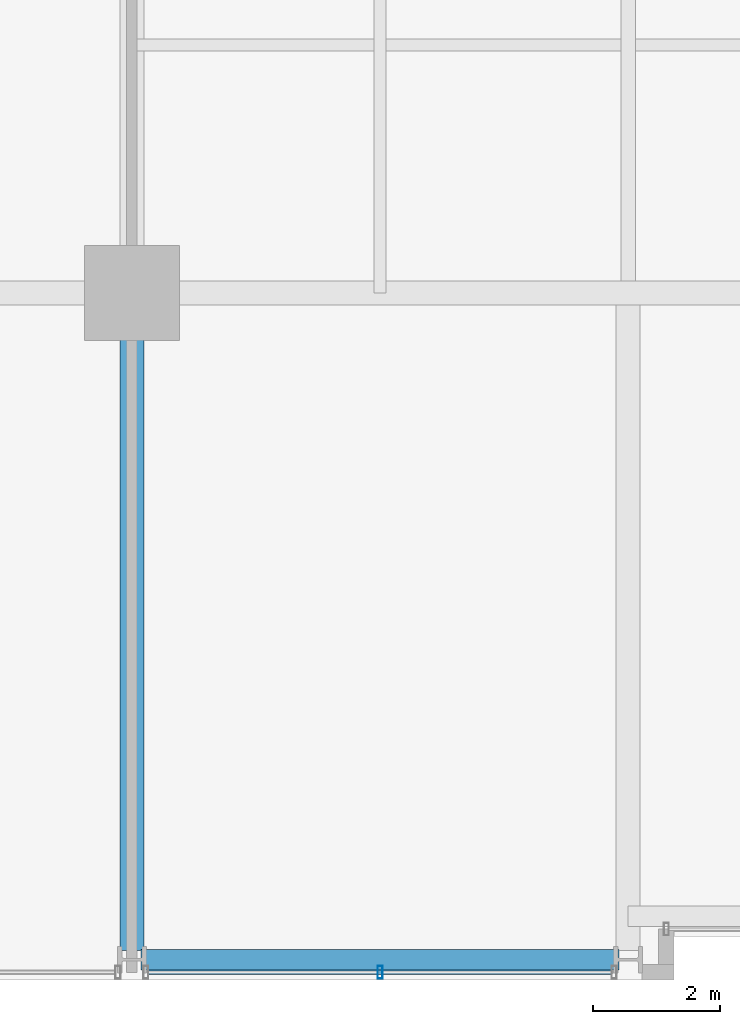
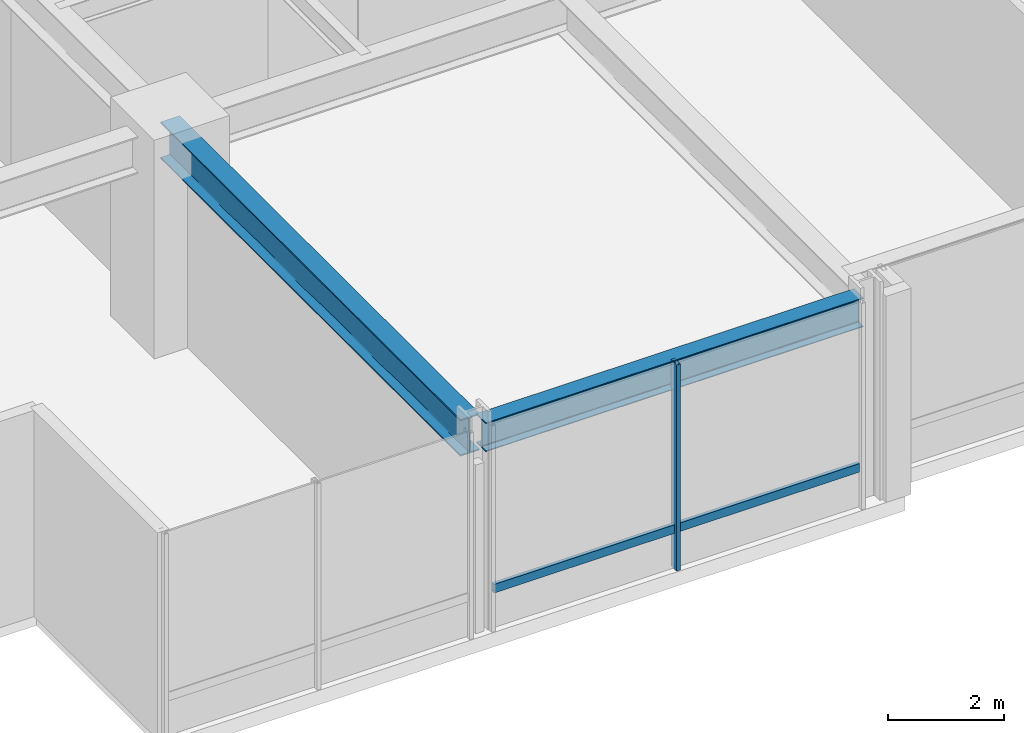
# One storey, part 3 of 33: 2 beams, 2 members, 1 element without a shape of its own.
"""IFC4 building model written with IfcOpenShell, lengths in metres."""

from ifc_helpers import new_model, si_unit, direction, frame, origin, origin_2d, place, context, subcontext, project, spatial, hollow_rectangle, i_section, extrude, material, layer, layer_set, material_profile, profile_set, type_object, element, aggregate, save


model = new_model("IFC4")

# Units and contexts
model_context = context("Model", 3, precision=1e-05, world=origin(), true_north=direction((0.0, 1.0)))
body_context = subcontext(model_context, "Body", "Model", "MODEL_VIEW")
ifc_project = project(units=[si_unit("LENGTHUNIT", "METRE"), si_unit("AREAUNIT", "SQUARE_METRE"), si_unit("VOLUMEUNIT", "CUBIC_METRE"), si_unit("PLANEANGLEUNIT", "RADIAN"), si_unit("MASSUNIT", "GRAM", prefix="KILO")], contexts=[model_context])

# Site, building, storey
site_placement = place(None, origin())
site = spatial("IfcSite", under=ifc_project, at=site_placement, CompositionType="ELEMENT")
building_placement = place(site_placement, origin())
building = spatial("IfcBuilding", under=site, at=building_placement, Name="Drelvath Grand Hotel", CompositionType="ELEMENT")
storey_placement = place(building_placement, frame((0.0, 0.0, 87.199951171875)))
storey = spatial("IfcBuildingStorey", under=building, at=storey_placement, Name="L21", CompositionType="ELEMENT", Elevation=87.199951171875)

# Curtain wall, members
ifc_material_1 = material(Name="Champagne Bronze Anodised Aluminium Frame", Category="aluminium")
ifc_layer = layer(ifc_material_1, 0.199951171875)
ifc_layer_set = layer_set([ifc_layer], Name="Champagne Bronze Anodised Aluminium Frame")
curtain_wall_type = type_object("IfcCurtainWallType", Name="Stick Curtain Wall CW-03 Champagne Bronze Mid-Rise", PredefinedType="NOTDEFINED", material=ifc_layer_set)
curtain_wall_placement = place(storey_placement, origin())
curtain_wall = element("IfcCurtainWall", 1, at=curtain_wall_placement, inside=storey, type_object=curtain_wall_type, Name="L21 CW-03 Curtain Wall CW03-L21-SW2", PredefinedType="NOTDEFINED")
ifc_material_profile_1 = material_profile(ifc_material_1, hollow_rectangle(XDim=0.074951171875, YDim=0.179931640625, WallThickness=0.0048828125, at=origin_2d()), Name="HSS180X75X5")
ifc_profile_set_1 = profile_set([ifc_material_profile_1], Name="Champagne Bronze Anodised Aluminium Frame")
member_type_1 = type_object("IfcMemberType", Name="Curtain Wall Horizontal Transom CW-03 HSS180X75X5", PredefinedType="USERDEFINED", material=ifc_profile_set_1)
member_1_placement = place(storey_placement, frame((-8.65966796875, 0.1201171875, 0.85009765625), z_axis=(-1.0, 0.0, 0.0), x_axis=(0.0, -1.0, 0.0)))
member_1 = element("IfcMember", 2, at=member_1_placement, type_object=member_type_1, Name="CW03-L21-SW2 Sill Transom", ObjectType="TRANSOM", PredefinedType="USERDEFINED", context=body_context, shape_type="SweptSolid", body=[
    extrude(hollow_rectangle(XDim=0.074951171875, YDim=0.179931640625, WallThickness=0.0048828125, at=origin_2d()), origin(), (0.0, 0.0, 1.0), 7.28076171875),
])
ifc_material_profile_2 = material_profile(ifc_material_1, hollow_rectangle(XDim=0.080078125, YDim=0.199951171875, WallThickness=0.0048828125, at=origin_2d()), Name="HSS200X80X5")
ifc_profile_set_2 = profile_set([ifc_material_profile_2], Name="Champagne Bronze Anodised Aluminium Frame")
member_type_2 = type_object("IfcMemberType", Name="Curtain Wall Vertical Mullion CW-03 HSS200X80X5", PredefinedType="MULLION", material=ifc_profile_set_2)
member_2_placement = place(storey_placement, frame((-12.300048828125, 0.1201171875, 0.0), z_axis=(0.0, 0.0, 1.0), x_axis=(1.0, 0.0, 0.0)))
member_2 = element("IfcMember", 3, at=member_2_placement, type_object=member_type_2, Name="CW03-L21-SW2 Mullion 2", PredefinedType="MULLION", context=body_context, shape_type="SweptSolid", body=[
    extrude(hollow_rectangle(XDim=0.080078125, YDim=0.199951171875, WallThickness=0.0048828125, at=origin_2d()), origin(), (0.0, 0.0, 1.0), 4.340087890625),
])
aggregate(curtain_wall, [member_2, member_1])

# Beams
ifc_material_2 = material(Name="Steel ASTM A992 Gr 50", Category="steel")
ifc_material_profile_3 = material_profile(ifc_material_2, i_section(OverallWidth=0.323974609375, OverallDepth=0.611083984375, WebThickness=0.0126953125, FlangeThickness=0.01904296875, FilletRadius=0.02197265625, at=origin_2d()), Name="W24X104")
ifc_profile_set_3 = profile_set([ifc_material_profile_3], Name="Steel ASTM A992 Gr 50")
beam_type_1 = type_object("IfcBeamType", Name="Perimeter Spandrel Beam W24X104", PredefinedType="SPANDREL", material=ifc_profile_set_3)
beam_1_placement = place(storey_placement, frame((-16.06005859375, 0.320068359375, 4.03466796875), z_axis=(1.0, 0.0, 0.0), x_axis=(0.0, 1.0, 0.0)))
element("IfcBeam", 4, at=beam_1_placement, inside=storey, type_object=beam_type_1, Name="L21 Spandrel South W", PredefinedType="SPANDREL", context=body_context, shape_type="SweptSolid", body=[
    extrude(i_section(OverallWidth=0.323974609375, OverallDepth=0.611083984375, WebThickness=0.0126953125, FlangeThickness=0.01904296875, FilletRadius=0.02197265625, at=origin_2d()), origin(), (0.0, 0.0, 1.0), 7.52001953125),
])
ifc_material_profile_4 = material_profile(ifc_material_2, i_section(OverallWidth=0.380615234375, OverallDepth=0.773193359375, WebThickness=0.0166015625, FlangeThickness=0.027099609375, FilletRadius=0.02490234375, at=origin_2d()), Name="W30X173")
ifc_profile_set_4 = profile_set([ifc_material_profile_4], Name="Steel ASTM A992 Gr 50")
beam_type_2 = type_object("IfcBeamType", Name="Primary Floor Girder W30X173", PredefinedType="BEAM", material=ifc_profile_set_4)
beam_2_placement = place(storey_placement, frame((-16.199951171875, 0.4599609375, 3.953369140625), z_axis=(0.0, 1.0, 0.0), x_axis=(-1.0, 0.0, 0.0)))
element("IfcBeam", 5, at=beam_2_placement, inside=storey, type_object=beam_type_2, Name="L21 South Grid Girder 3", PredefinedType="BEAM", context=body_context, shape_type="SweptSolid", body=[
    extrude(i_section(OverallWidth=0.380615234375, OverallDepth=0.773193359375, WebThickness=0.0166015625, FlangeThickness=0.027099609375, FilletRadius=0.02490234375, at=origin_2d()), origin(), (0.0, 0.0, 1.0), 10.340087890625),
])

save(model, "model.ifc")
